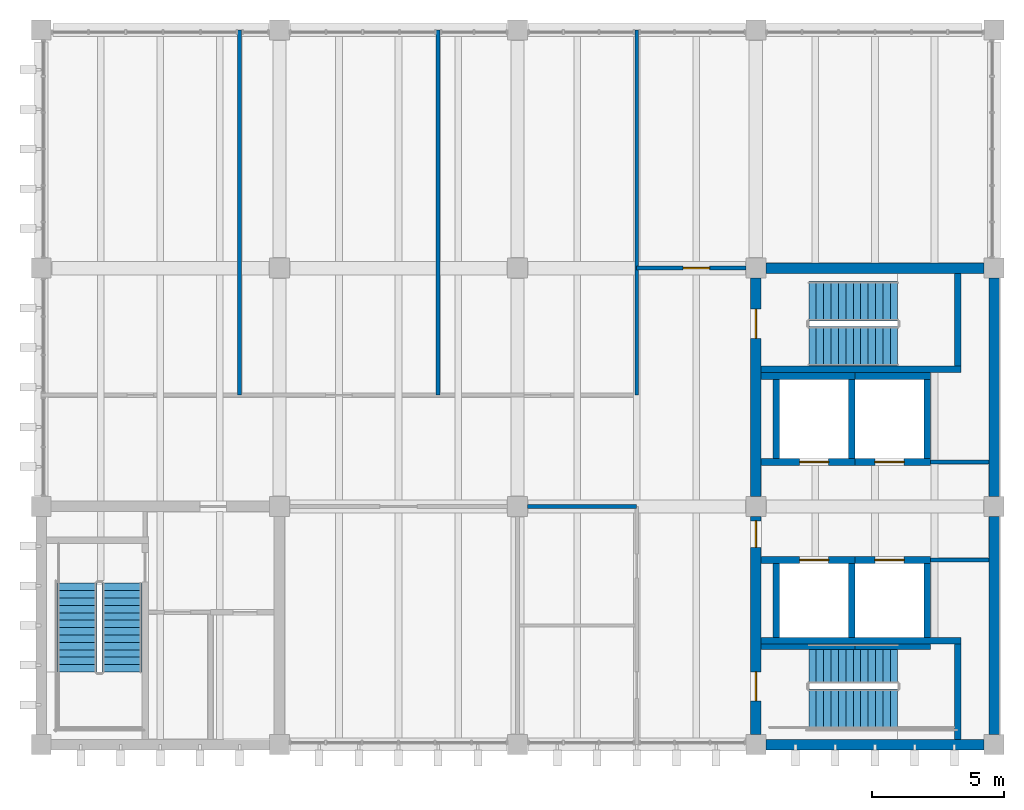
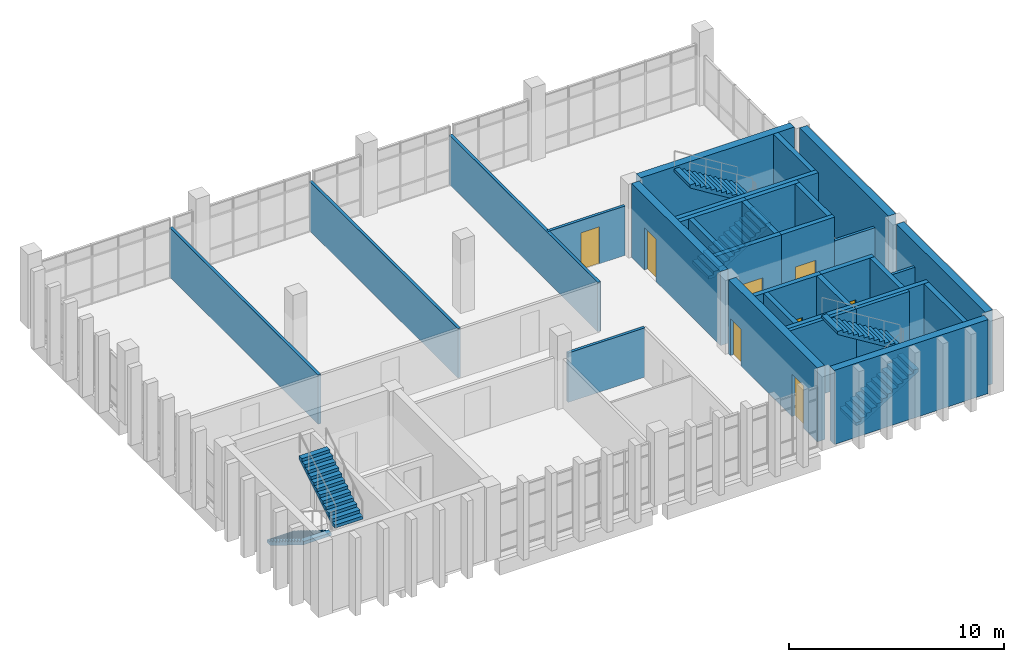
# One storey, part 10 of 14: 31 walls, 8 doors, 6 stair flights, 8 openings, 3 elements without a shape of their own.
"""IFC4 building model written with IfcOpenShell, lengths in metres."""

import ifcopenshell
import ifcopenshell.guid

model = None  # the IFC model being written
_history = None  # IfcOwnerHistory: only IFC2X3 demands one
_inside = {}  # id of a spatial element -> (the spatial element, [elements in it])
_under = {}  # id of a project, library or spatial element -> (it, [spatial elements below it])
_declared = {}  # id of a project -> (the project, [libraries it declares])
_typed = {}  # id of a type object -> (the type object, [elements of that type])
_made_of = {}  # id of a material, layer set ... -> (it, [elements and type objects made of it])


def new_model(schema):
    """Start an empty IFC model of exactly this schema.

    Asked for "IFC4X3", IfcOpenShell would pick the latest addendum, in which some entities
    have other attributes; the version numbers below select the first issue.
    IFC2X3 requires an IfcOwnerHistory on every rooted entity: one is made here for all.
    """
    global model, _history
    if schema == "IFC4X3":
        model = ifcopenshell.file(schema_version=(4, 3, 0, 0))
    else:
        model = ifcopenshell.file(schema=schema)
    _inside.clear()
    _under.clear()
    _declared.clear()
    _typed.clear()
    _made_of.clear()
    _history = None
    if model.schema == "IFC2X3":
        org = make("IfcOrganization", Name="unknown")
        user = make(
            "IfcPersonAndOrganization",
            ThePerson=make("IfcPerson", FamilyName="unknown"),
            TheOrganization=org,
        )
        app = make(
            "IfcApplication",
            ApplicationDeveloper=org,
            Version="unknown",
            ApplicationFullName="unknown",
            ApplicationIdentifier="unknown",
        )
        _history = make(
            "IfcOwnerHistory",
            OwningUser=user,
            OwningApplication=app,
            ChangeAction="ADDED",
            CreationDate=0,
        )
    return model


def make(cls, **values):
    """One entity of the class cls with the attributes given. An attribute that is None is left unset."""
    return model.create_entity(
        cls, **{name: value for name, value in values.items() if value is not None}
    )


def rooted(cls, **values):
    """An entity with a GlobalId (a new one), such as an element, a storey or a relation."""
    return make(cls, GlobalId=ifcopenshell.guid.new(), OwnerHistory=_history, **values)


def si_unit(unit_type, name, prefix=None):
    """IfcSIUnit, for example si_unit("LENGTHUNIT", "METRE", prefix="MILLI")."""
    return make("IfcSIUnit", UnitType=unit_type, Prefix=prefix, Name=name)


def assignment(units):
    """IfcUnitAssignment: the units of a project."""
    return None if units is None else make("IfcUnitAssignment", Units=units)


def point(xyz):
    """IfcCartesianPoint."""
    return None if xyz is None else make("IfcCartesianPoint", Coordinates=xyz)


def direction(xyz):
    """IfcDirection."""
    return None if xyz is None else make("IfcDirection", DirectionRatios=xyz)


def frame(location, z_axis=None, x_axis=None):
    """IfcAxis2Placement3D, a coordinate frame: its origin and axes. An axis left out is left unset."""
    return make(
        "IfcAxis2Placement3D",
        Location=point(location),
        Axis=direction(z_axis),
        RefDirection=direction(x_axis),
    )


def frame_2d(location, x_axis=None):
    """IfcAxis2Placement2D, a coordinate frame in the plane: its origin and x axis."""
    return make(
        "IfcAxis2Placement2D", Location=point(location), RefDirection=direction(x_axis)
    )


def origin():
    """The frame at (0, 0, 0) with its axes left unset."""
    return frame((0.0, 0.0, 0.0))


def place(relative_to, where):
    """IfcLocalPlacement: puts the frame where relative to a parent placement (None: the world)."""
    return make(
        "IfcLocalPlacement", PlacementRelTo=relative_to, RelativePlacement=where
    )


def context(
    kind, dimensions, precision=None, world=None, true_north=None, identifier=None
):
    """IfcGeometricRepresentationContext, for example the 3D "Model" context."""
    return make(
        "IfcGeometricRepresentationContext",
        ContextIdentifier=identifier,
        ContextType=kind,
        CoordinateSpaceDimension=dimensions,
        Precision=precision,
        WorldCoordinateSystem=world,
        TrueNorth=true_north,
    )


def subcontext(parent, identifier, kind, view, scale=None):
    """IfcGeometricRepresentationSubContext, for example "Body" below "Model"."""
    return make(
        "IfcGeometricRepresentationSubContext",
        ContextIdentifier=identifier,
        ContextType=kind,
        ParentContext=parent,
        TargetScale=scale,
        TargetView=view,
    )


def project(units=None, contexts=None):
    """IfcProject with its units and contexts."""
    return rooted(
        "IfcProject",
        Name="project",
        RepresentationContexts=contexts,
        UnitsInContext=assignment(units),
    )


def spatial(cls, under=None, at=None, **own):
    """A site, building, storey or space (cls), placed at a placement, below another one or the project."""
    s = rooted(cls, ObjectPlacement=at, **own)
    if under is not None:
        _under.setdefault(under.id(), (under, []))[1].append(s)
    return s


def polyline(points):
    """IfcPolyline through the points."""
    return make("IfcPolyline", Points=[point(p) for p in points])


def profile(cls, at=None, kind="AREA", **sizes):
    """A parametric profile (cls). Its sizes go by their IFC names, for example OverallWidth=200.0."""
    return make(cls, ProfileType=kind, Position=at, **sizes)


def rectangle(**sizes):
    """IfcRectangleProfileDef."""
    return profile("IfcRectangleProfileDef", **sizes)


def outline(outer, holes=None, kind="AREA"):
    """IfcArbitraryClosedProfileDef: a profile drawn as a closed curve; with holes, ...WithVoids."""
    if holes is None:
        return make("IfcArbitraryClosedProfileDef", ProfileType=kind, OuterCurve=outer)
    return make(
        "IfcArbitraryProfileDefWithVoids",
        ProfileType=kind,
        OuterCurve=outer,
        InnerCurves=holes,
    )


def extrude(swept, where, along, depth):
    """IfcExtrudedAreaSolid: the profile swept, set in the frame where, extruded along a direction by depth."""
    return make(
        "IfcExtrudedAreaSolid",
        SweptArea=swept,
        Position=where,
        ExtrudedDirection=direction(along),
        Depth=depth,
    )


def shape(context_of_items, identifier, shape_type, items):
    """IfcShapeRepresentation: the items that make up one representation, for example the "Body"."""
    return make(
        "IfcShapeRepresentation",
        ContextOfItems=context_of_items,
        RepresentationIdentifier=identifier,
        RepresentationType=shape_type,
        Items=items,
    )


def material(Name=None, Category=None):
    """IfcMaterial."""
    return make("IfcMaterial", Name=Name, Category=Category)


def layer(
    of_material, thickness, ventilated=None, Name=None, Category=None, Priority=None
):
    """IfcMaterialLayer: one layer of a wall or slab, of a material (None: an air gap)."""
    return make(
        "IfcMaterialLayer",
        Material=of_material,
        LayerThickness=thickness,
        IsVentilated=ventilated,
        Name=Name,
        Category=Category,
        Priority=Priority,
    )


def layer_set(layers, Name=None):
    """IfcMaterialLayerSet."""
    return make("IfcMaterialLayerSet", MaterialLayers=layers, LayerSetName=Name)


def made_of(thing, what):
    """Note that an element or type object is made of a material, layer set ...; save() writes the relation."""
    if what is not None:
        _made_of.setdefault(what.id(), (what, []))[1].append(thing)
    return thing


def type_object(cls, material=None, **own):
    """A type object (cls), such as IfcWallType, which elements share."""
    return made_of(rooted(cls, **own), material)


def element(
    cls,
    number,
    at=None,
    inside=None,
    cuts=None,
    type_object=None,
    material=None,
    context=None,
    identifier="Body",
    shape_type=None,
    held_by="IfcProductDefinitionShape",
    body=None,
    shapes=None,
    **own,
):
    """One element of the class cls, such as IfcWall. Its Tag is "e" and its number.

    at: its placement. inside: the storey or other place that contains it. cuts: it is an
    opening in that element (IfcRelVoidsElement). A single representation is given by context,
    identifier, shape_type and body (its items); several are given by shapes. held_by: the class
    of the entity that holds the representations. save() writes the other relations.
    """
    e = rooted(cls, Tag="e%d" % number, ObjectPlacement=at, **own)
    if body is not None:
        shapes = [shape(context, identifier, shape_type, body)]
    if shapes is not None:
        e.Representation = make(held_by, Representations=shapes)
    if inside is not None:
        _inside.setdefault(inside.id(), (inside, []))[1].append(e)
    if cuts is not None:
        rooted(
            "IfcRelVoidsElement", RelatingBuildingElement=cuts, RelatedOpeningElement=e
        )
    if type_object is not None:
        _typed.setdefault(type_object.id(), (type_object, []))[1].append(e)
    return made_of(e, material)


def fill(opening, filler):
    """IfcRelFillsElement: the door or window that sits in an opening."""
    return rooted(
        "IfcRelFillsElement",
        RelatingOpeningElement=opening,
        RelatedBuildingElement=filler,
    )


def aggregate(whole, parts):
    """IfcRelAggregates: a whole, such as a stair, and the parts it consists of."""
    return rooted("IfcRelAggregates", RelatingObject=whole, RelatedObjects=parts)


def save(model, path):
    """Write the relations noted so far, then the file.

    IfcRelAggregates (storeys below a building ...), IfcRelContainedInSpatialStructure (elements
    in a storey), IfcRelDefinesByType, IfcRelAssociatesMaterial and IfcRelDeclares: one each for
    every whole, place, type object, material and project.
    """
    for whole, parts in _under.values():
        aggregate(whole, parts)
    for where, things in _inside.values():
        rooted(
            "IfcRelContainedInSpatialStructure",
            RelatedElements=things,
            RelatingStructure=where,
        )
    for kind, things in _typed.values():
        rooted("IfcRelDefinesByType", RelatedObjects=things, RelatingType=kind)
    for what, things in _made_of.values():
        rooted("IfcRelAssociatesMaterial", RelatedObjects=things, RelatingMaterial=what)
    for by, libraries in _declared.values():
        rooted("IfcRelDeclares", RelatingContext=by, RelatedDefinitions=libraries)
    model.write(path)


model = new_model("IFC4")

# Units and contexts
model_context = context("Model", 3, precision=1e-05, world=origin(), true_north=direction((0.0, 1.0)))
body_context = subcontext(model_context, "Body", "Model", "MODEL_VIEW")
ifc_project = project(units=[si_unit("LENGTHUNIT", "METRE"), si_unit("AREAUNIT", "SQUARE_METRE"), si_unit("VOLUMEUNIT", "CUBIC_METRE"), si_unit("PLANEANGLEUNIT", "RADIAN"), si_unit("MASSUNIT", "GRAM", prefix="KILO")], contexts=[model_context])

# Site, building, storey
site_placement = place(None, origin())
site = spatial("IfcSite", under=ifc_project, at=site_placement, CompositionType="ELEMENT")
building_placement = place(site_placement, origin())
building = spatial("IfcBuilding", under=site, at=building_placement, Name="Merrow Basin Faculty of Sciences", CompositionType="ELEMENT")
storey_placement = place(building_placement, frame((0.0, 0.0, 27.0)))
storey = spatial("IfcBuildingStorey", under=building, at=storey_placement, Name="L06", CompositionType="ELEMENT", Elevation=27.0)

# Walls
ifc_material_1 = material(Name="Fire-rated gypsum board")
ifc_layer_1 = layer(ifc_material_1, 0.14990234375)
ifc_layer_set_1 = layer_set([ifc_layer_1], Name="Corridor partition 150 fire-rated board on steel studs")
wall_type_1 = type_object("IfcWallType", Name="Corridor partition 150 fire-rated board on steel studs", PredefinedType="PARTITIONING", material=ifc_layer_set_1)
wall_1_placement = place(storey_placement, frame((51.60009765625, 148.97509765625, 0.0), z_axis=(0.0, 0.0, 1.0), x_axis=(1.0, 0.0, 0.0)))
element("IfcWall", 1, at=wall_1_placement, inside=storey, type_object=wall_type_1, Name="IW151 L06 006", PredefinedType="PARTITIONING", context=body_context, shape_type="SweptSolid", body=[
    extrude(rectangle(XDim=2.199951171875, YDim=0.14990234375, at=frame_2d((1.10009765625, 0.0))), origin(), (0.0, 0.0, 1.0), 2.800048828125),
])
wall_2_placement = place(storey_placement, frame((36.375, 151.0, 0.0), z_axis=(0.0, 0.0, 1.0), x_axis=(1.0, 0.0, 0.0)))
element("IfcWall", 2, at=wall_2_placement, inside=storey, type_object=wall_type_1, Name="IW151 L06 007", PredefinedType="PARTITIONING", context=body_context, shape_type="SweptSolid", body=[
    extrude(rectangle(XDim=4.125, YDim=0.14990234375, at=frame_2d((2.0625, 0.0))), origin(), (0.0, 0.0, 1.0), 2.800048828125),
])
wall_3_placement = place(storey_placement, frame((51.60009765625, 152.675048828125, 0.0), z_axis=(0.0, 0.0, 1.0), x_axis=(1.0, 0.0, 0.0)))
element("IfcWall", 3, at=wall_3_placement, inside=storey, type_object=wall_type_1, Name="IW151 L06 008", PredefinedType="PARTITIONING", context=body_context, shape_type="SweptSolid", body=[
    extrude(rectangle(XDim=2.199951171875, YDim=0.14990234375, at=frame_2d((1.10009765625, 0.0))), origin(), (0.0, 0.0, 1.0), 2.800048828125),
])

# Wall, opening, door
wall_4_placement = place(storey_placement, frame((40.5, 160.0, 0.0), z_axis=(0.0, 0.0, 1.0), x_axis=(1.0, 0.0, 0.0)))
wall_4 = element("IfcWall", 4, at=wall_4_placement, inside=storey, type_object=wall_type_1, Name="IW151 L06 009", PredefinedType="PARTITIONING", context=body_context, shape_type="SweptSolid", body=[
    extrude(rectangle(XDim=4.125, YDim=0.14990234375, at=frame_2d((2.0625, 0.0))), origin(), (0.0, 0.0, 1.0), 2.800048828125),
])
opening_1_placement = place(wall_4_placement, frame((1.75, 0.0, 0.0)))
opening_1 = element("IfcOpeningElement", 5, at=opening_1_placement, cuts=wall_4, Name="Opening D06T014", PredefinedType="OPENING", context=body_context, shape_type="SweptSolid", body=[
    extrude(rectangle(XDim=1.0, YDim=2.10009765625, at=frame_2d((0.5, 1.050048828125))), frame((0.0, 0.0849609375, 0.0), z_axis=(0.0, -1.0, 0.0), x_axis=(1.0, 0.0, 0.0)), (0.0, 0.0, 1.0), 0.169921875),
])
ifc_material_2 = material(Name="Timber door leaf", Category="wood")
door_type_1 = type_object("IfcDoorType", Name="Single swing door 1000 x 2100", OperationType="NOTDEFINED", PredefinedType="DOOR", material=ifc_material_2)
door_1_placement = place(opening_1_placement, origin())
door_1 = element("IfcDoor", 6, at=door_1_placement, inside=storey, type_object=door_type_1, Name="Door D06T014", OperationType="SINGLE_SWING_LEFT", OverallHeight=2.10009765625, OverallWidth=1.0, PredefinedType="DOOR", context=body_context, shape_type="SweptSolid", body=[
    extrude(rectangle(XDim=1.0, YDim=2.10009765625, at=frame_2d((0.5, 1.050048828125))), frame((0.0, 0.02490234375, 0.0), z_axis=(0.0, -1.0, 0.0), x_axis=(1.0, 0.0, 0.0)), (0.0, 0.0, 1.0), 0.050048828125),
])
fill(opening_1, door_1)

# Walls
ifc_material_3 = material(Name="Fire-rated gypsum board")
ifc_layer_2 = layer(ifc_material_3, 0.14990234375)
ifc_layer_set_2 = layer_set([ifc_layer_2], Name="Laboratory partition 150 fire-rated board on steel studs")
wall_type_2 = type_object("IfcWallType", Name="Laboratory partition 150 fire-rated board on steel studs", PredefinedType="PARTITIONING", material=ifc_layer_set_2)
for number, where, z_axis, x_axis, name in (
    (7, (25.5, 155.199951171875, 0.0), (0.0, 0.0, 1.0), (0.0, 1.0, 0.0), "IW150 L06 010"),
    (8, (33.0, 155.199951171875, 0.0), (0.0, 0.0, 1.0), (0.0, 1.0, 0.0), "IW150 L06 011"),
    (9, (40.5, 155.199951171875, 0.0), (0.0, 0.0, 1.0), (0.0, 1.0, 0.0), "IW150 L06 013"),
):
    element("IfcWall", number, at=place(storey_placement, frame(where, z_axis=z_axis, x_axis=x_axis)), inside=storey, type_object=wall_type_2, Name=name, PredefinedType="PARTITIONING", context=body_context, shape_type="SweptSolid", body=[
        extrude(rectangle(XDim=13.800048828125, YDim=0.14990234375, at=frame_2d((6.89990234375, 0.0))), origin(), (0.0, 0.0, 1.0), 2.800048828125),
    ])
ifc_material_4 = material(Name="Concrete C40/50", Category="concrete")
ifc_layer_3 = layer(ifc_material_4, 0.199951171875)
ifc_layer_set_3 = layer_set([ifc_layer_3], Name="Shear wall 200 Concrete C40/50")
wall_type_3 = type_object("IfcWallType", Name="Shear wall 200 Concrete C40/50", PredefinedType="SHEAR", material=ifc_layer_set_3)
wall_5_placement = place(storey_placement, frame((45.199951171875, 145.699951171875, 0.0), z_axis=(0.0, 0.0, 1.0), x_axis=(1.0, 0.0, 0.0)))
element("IfcWall", 10, at=wall_5_placement, inside=storey, type_object=wall_type_3, Name="SW6 L06 018", PredefinedType="SHEAR", context=body_context, shape_type="SweptSolid", body=[
    extrude(rectangle(XDim=3.550048828125, YDim=0.199951171875, at=frame_2d((1.77490234375, 0.0))), origin(), (0.0, 0.0, 1.0), 4.199951171875),
])
wall_6_placement = place(storey_placement, frame((48.75, 145.699951171875, 0.0), z_axis=(0.0, 0.0, 1.0), x_axis=(1.0, 0.0, 0.0)))
element("IfcWall", 11, at=wall_6_placement, inside=storey, type_object=wall_type_3, Name="SW6 L06 022", PredefinedType="SHEAR", context=body_context, shape_type="SweptSolid", body=[
    extrude(rectangle(XDim=2.85009765625, YDim=0.199951171875, at=frame_2d((1.425048828125, 0.0))), origin(), (0.0, 0.0, 1.0), 4.199951171875),
])
ifc_material_5 = material(Name="Concrete C40/50", Category="concrete")
ifc_layer_4 = layer(ifc_material_5, 0.25)
ifc_layer_set_4 = layer_set([ifc_layer_4], Name="Shear wall 250 Concrete C40/50")
wall_type_4 = type_object("IfcWallType", Name="Shear wall 250 Concrete C40/50", PredefinedType="SHEAR", material=ifc_layer_set_4)
wall_7_placement = place(storey_placement, frame((45.199951171875, 156.175048828125, 0.0), z_axis=(0.0, 0.0, 1.0), x_axis=(1.0, 0.0, 0.0)))
element("IfcWall", 12, at=wall_7_placement, inside=storey, type_object=wall_type_4, Name="SW2 L06 007", PredefinedType="SHEAR", context=body_context, shape_type="SweptSolid", body=[
    extrude(rectangle(XDim=7.550048828125, YDim=0.25, at=frame_2d((3.77490234375, 0.0))), origin(), (0.0, 0.0, 1.0), 4.199951171875),
])
wall_8_placement = place(storey_placement, frame((52.625, 156.300048828125, 0.0), z_axis=(0.0, 0.0, 1.0), x_axis=(0.0, 1.0, 0.0)))
element("IfcWall", 13, at=wall_8_placement, inside=storey, type_object=wall_type_4, Name="SW2 L06 008", PredefinedType="SHEAR", context=body_context, shape_type="SweptSolid", body=[
    extrude(rectangle(XDim=3.5, YDim=0.25, at=frame_2d((1.75, 0.0))), origin(), (0.0, 0.0, 1.0), 4.199951171875),
])
wall_9_placement = place(storey_placement, frame((45.199951171875, 145.925048828125, 0.0), z_axis=(0.0, 0.0, 1.0), x_axis=(1.0, 0.0, 0.0)))
element("IfcWall", 14, at=wall_9_placement, inside=storey, type_object=wall_type_4, Name="SW2 L06 009", PredefinedType="SHEAR", context=body_context, shape_type="SweptSolid", body=[
    extrude(rectangle(XDim=7.550048828125, YDim=0.25, at=frame_2d((3.77490234375, 0.0))), origin(), (0.0, 0.0, 1.0), 4.199951171875),
])
wall_10_placement = place(storey_placement, frame((52.625, 142.199951171875, 0.0), z_axis=(0.0, 0.0, 1.0), x_axis=(0.0, 1.0, 0.0)))
element("IfcWall", 15, at=wall_10_placement, inside=storey, type_object=wall_type_4, Name="SW2 L06 010", PredefinedType="SHEAR", context=body_context, shape_type="SweptSolid", body=[
    extrude(rectangle(XDim=3.60009765625, YDim=0.25, at=frame_2d((1.800048828125, 0.0))), origin(), (0.0, 0.0, 1.0), 4.199951171875),
])

# Wall, opening, door
wall_11_placement = place(storey_placement, frame((45.199951171875, 152.675048828125, 0.0), z_axis=(0.0, 0.0, 1.0), x_axis=(1.0, 0.0, 0.0)))
wall_11 = element("IfcWall", 16, at=wall_11_placement, inside=storey, type_object=wall_type_4, Name="SW2 L06 011", PredefinedType="SHEAR", context=body_context, shape_type="SweptSolid", body=[
    extrude(rectangle(XDim=3.550048828125, YDim=0.25, at=frame_2d((1.77490234375, 0.0))), origin(), (0.0, 0.0, 1.0), 4.199951171875),
])
opening_2_placement = place(wall_11_placement, frame((1.449951171875, 0.0, 0.0)))
opening_2 = element("IfcOpeningElement", 17, at=opening_2_placement, cuts=wall_11, Name="Opening LD06T01", PredefinedType="OPENING", context=body_context, shape_type="SweptSolid", body=[
    extrude(rectangle(XDim=1.10009765625, YDim=2.10009765625, at=frame_2d((0.550048828125, 1.050048828125))), frame((0.0, 0.135009765625, 0.0), z_axis=(0.0, -1.0, 0.0), x_axis=(1.0, 0.0, 0.0)), (0.0, 0.0, 1.0), 0.27001953125),
])
ifc_material_6 = material(Name="Stainless steel sliding door", Category="steel")
door_type_2 = type_object("IfcDoorType", Name="Lift landing door 1100 x 2100 sliding", OperationType="NOTDEFINED", PredefinedType="DOOR", material=ifc_material_6)
door_2_placement = place(opening_2_placement, origin())
door_2 = element("IfcDoor", 18, at=door_2_placement, inside=storey, type_object=door_type_2, Name="Landing door LF11 L06", OperationType="SLIDING_TO_LEFT", OverallHeight=2.10009765625, OverallWidth=1.10009765625, PredefinedType="DOOR", context=body_context, shape_type="SweptSolid", body=[
    extrude(rectangle(XDim=1.10009765625, YDim=2.10009765625, at=frame_2d((0.550048828125, 1.050048828125))), frame((0.0, 0.02490234375, 0.0), z_axis=(0.0, -1.0, 0.0), x_axis=(1.0, 0.0, 0.0)), (0.0, 0.0, 1.0), 0.050048828125),
])
fill(opening_2, door_2)

# Walls
wall_12_placement = place(storey_placement, frame((45.199951171875, 155.925048828125, 0.0), z_axis=(0.0, 0.0, 1.0), x_axis=(1.0, 0.0, 0.0)))
element("IfcWall", 19, at=wall_12_placement, inside=storey, type_object=wall_type_4, Name="SW2 L06 012", PredefinedType="SHEAR", context=body_context, shape_type="SweptSolid", body=[
    extrude(rectangle(XDim=3.550048828125, YDim=0.25, at=frame_2d((1.77490234375, 0.0))), origin(), (0.0, 0.0, 1.0), 4.199951171875),
])
for number, where, z_axis, x_axis, name in (
    (20, (45.77490234375, 152.800048828125, 0.0), (0.0, 0.0, 1.0), (0.0, 1.0, 0.0), "SW2 L06 013"),
    (21, (48.625, 152.800048828125, 0.0), (0.0, 0.0, 1.0), (0.0, 1.0, 0.0), "SW2 L06 014"),
):
    element("IfcWall", number, at=place(storey_placement, frame(where, z_axis=z_axis, x_axis=x_axis)), inside=storey, type_object=wall_type_4, Name=name, PredefinedType="SHEAR", context=body_context, shape_type="SweptSolid", body=[
        extrude(rectangle(XDim=3.0, YDim=0.25, at=frame_2d((1.5, 0.0))), origin(), (0.0, 0.0, 1.0), 4.199951171875),
    ])

# Wall, opening, door
wall_13_placement = place(storey_placement, frame((48.75, 152.675048828125, 0.0), z_axis=(0.0, 0.0, 1.0), x_axis=(1.0, 0.0, 0.0)))
wall_13 = element("IfcWall", 22, at=wall_13_placement, inside=storey, type_object=wall_type_4, Name="SW2 L06 015", PredefinedType="SHEAR", context=body_context, shape_type="SweptSolid", body=[
    extrude(rectangle(XDim=2.85009765625, YDim=0.25, at=frame_2d((1.425048828125, 0.0))), origin(), (0.0, 0.0, 1.0), 4.199951171875),
])
opening_3_placement = place(wall_13_placement, frame((0.75, 0.0, 0.0)))
opening_3 = element("IfcOpeningElement", 23, at=opening_3_placement, cuts=wall_13, Name="Opening LD06T02", PredefinedType="OPENING", context=body_context, shape_type="SweptSolid", body=[
    extrude(rectangle(XDim=1.10009765625, YDim=2.10009765625, at=frame_2d((0.550048828125, 1.050048828125))), frame((0.0, 0.135009765625, 0.0), z_axis=(0.0, -1.0, 0.0), x_axis=(1.0, 0.0, 0.0)), (0.0, 0.0, 1.0), 0.27001953125),
])
door_3_placement = place(opening_3_placement, origin())
door_3 = element("IfcDoor", 24, at=door_3_placement, inside=storey, type_object=door_type_2, Name="Landing door LF12 L06", OperationType="SLIDING_TO_LEFT", OverallHeight=2.10009765625, OverallWidth=1.10009765625, PredefinedType="DOOR", context=body_context, shape_type="SweptSolid", body=[
    extrude(rectangle(XDim=1.10009765625, YDim=2.10009765625, at=frame_2d((0.550048828125, 1.050048828125))), frame((0.0, 0.02490234375, 0.0), z_axis=(0.0, -1.0, 0.0), x_axis=(1.0, 0.0, 0.0)), (0.0, 0.0, 1.0), 0.050048828125),
])
fill(opening_3, door_3)

# Walls
wall_14_placement = place(storey_placement, frame((48.75, 155.925048828125, 0.0), z_axis=(0.0, 0.0, 1.0), x_axis=(1.0, 0.0, 0.0)))
element("IfcWall", 25, at=wall_14_placement, inside=storey, type_object=wall_type_4, Name="SW2 L06 016", PredefinedType="SHEAR", context=body_context, shape_type="SweptSolid", body=[
    extrude(rectangle(XDim=2.85009765625, YDim=0.25, at=frame_2d((1.425048828125, 0.0))), origin(), (0.0, 0.0, 1.0), 4.199951171875),
])
wall_15_placement = place(storey_placement, frame((51.47509765625, 152.800048828125, 0.0), z_axis=(0.0, 0.0, 1.0), x_axis=(0.0, 1.0, 0.0)))
element("IfcWall", 26, at=wall_15_placement, inside=storey, type_object=wall_type_4, Name="SW2 L06 017", PredefinedType="SHEAR", context=body_context, shape_type="SweptSolid", body=[
    extrude(rectangle(XDim=3.0, YDim=0.25, at=frame_2d((1.5, 0.0))), origin(), (0.0, 0.0, 1.0), 4.199951171875),
])

# Wall, opening, door
wall_16_placement = place(storey_placement, frame((45.199951171875, 148.97509765625, 0.0), z_axis=(0.0, 0.0, 1.0), x_axis=(1.0, 0.0, 0.0)))
wall_16 = element("IfcWall", 27, at=wall_16_placement, inside=storey, type_object=wall_type_4, Name="SW2 L06 019", PredefinedType="SHEAR", context=body_context, shape_type="SweptSolid", body=[
    extrude(rectangle(XDim=3.550048828125, YDim=0.25, at=frame_2d((1.77490234375, 0.0))), origin(), (0.0, 0.0, 1.0), 4.199951171875),
])
opening_4_placement = place(wall_16_placement, frame((1.449951171875, 0.0, 0.0)))
opening_4 = element("IfcOpeningElement", 28, at=opening_4_placement, cuts=wall_16, Name="Opening LD06T03", PredefinedType="OPENING", context=body_context, shape_type="SweptSolid", body=[
    extrude(rectangle(XDim=1.10009765625, YDim=2.10009765625, at=frame_2d((0.550048828125, 1.050048828125))), frame((0.0, 0.135009765625, 0.0), z_axis=(0.0, -1.0, 0.0), x_axis=(1.0, 0.0, 0.0)), (0.0, 0.0, 1.0), 0.27001953125),
])
door_4_placement = place(opening_4_placement, origin())
door_4 = element("IfcDoor", 29, at=door_4_placement, inside=storey, type_object=door_type_2, Name="Landing door LF13 L06", OperationType="SLIDING_TO_LEFT", OverallHeight=2.10009765625, OverallWidth=1.10009765625, PredefinedType="DOOR", context=body_context, shape_type="SweptSolid", body=[
    extrude(rectangle(XDim=1.10009765625, YDim=2.10009765625, at=frame_2d((0.550048828125, 1.050048828125))), frame((0.0, 0.02490234375, 0.0), z_axis=(0.0, -1.0, 0.0), x_axis=(1.0, 0.0, 0.0)), (0.0, 0.0, 1.0), 0.050048828125),
])
fill(opening_4, door_4)

# Walls
for number, where, z_axis, x_axis, name in (
    (30, (45.77490234375, 146.050048828125, 0.0), (0.0, 0.0, 1.0), (0.0, 1.0, 0.0), "SW2 L06 020"),
    (31, (48.625, 146.050048828125, 0.0), (0.0, 0.0, 1.0), (0.0, 1.0, 0.0), "SW2 L06 021"),
):
    element("IfcWall", number, at=place(storey_placement, frame(where, z_axis=z_axis, x_axis=x_axis)), inside=storey, type_object=wall_type_4, Name=name, PredefinedType="SHEAR", context=body_context, shape_type="SweptSolid", body=[
        extrude(rectangle(XDim=2.800048828125, YDim=0.25, at=frame_2d((1.39990234375, 0.0))), origin(), (0.0, 0.0, 1.0), 4.199951171875),
    ])

# Wall, opening, door
wall_17_placement = place(storey_placement, frame((48.75, 148.97509765625, 0.0), z_axis=(0.0, 0.0, 1.0), x_axis=(1.0, 0.0, 0.0)))
wall_17 = element("IfcWall", 32, at=wall_17_placement, inside=storey, type_object=wall_type_4, Name="SW2 L06 023", PredefinedType="SHEAR", context=body_context, shape_type="SweptSolid", body=[
    extrude(rectangle(XDim=2.85009765625, YDim=0.25, at=frame_2d((1.425048828125, 0.0))), origin(), (0.0, 0.0, 1.0), 4.199951171875),
])
opening_5_placement = place(wall_17_placement, frame((0.75, 0.0, 0.0)))
opening_5 = element("IfcOpeningElement", 33, at=opening_5_placement, cuts=wall_17, Name="Opening LD06T04", PredefinedType="OPENING", context=body_context, shape_type="SweptSolid", body=[
    extrude(rectangle(XDim=1.10009765625, YDim=2.10009765625, at=frame_2d((0.550048828125, 1.050048828125))), frame((0.0, 0.135009765625, 0.0), z_axis=(0.0, -1.0, 0.0), x_axis=(1.0, 0.0, 0.0)), (0.0, 0.0, 1.0), 0.27001953125),
])
door_5_placement = place(opening_5_placement, origin())
door_5 = element("IfcDoor", 34, at=door_5_placement, inside=storey, type_object=door_type_2, Name="Landing door LF14 L06", OperationType="SLIDING_TO_LEFT", OverallHeight=2.10009765625, OverallWidth=1.10009765625, PredefinedType="DOOR", context=body_context, shape_type="SweptSolid", body=[
    extrude(rectangle(XDim=1.10009765625, YDim=2.10009765625, at=frame_2d((0.550048828125, 1.050048828125))), frame((0.0, 0.02490234375, 0.0), z_axis=(0.0, -1.0, 0.0), x_axis=(1.0, 0.0, 0.0)), (0.0, 0.0, 1.0), 0.050048828125),
])
fill(opening_5, door_5)

# Walls
wall_18_placement = place(storey_placement, frame((51.47509765625, 146.050048828125, 0.0), z_axis=(0.0, 0.0, 1.0), x_axis=(0.0, 1.0, 0.0)))
element("IfcWall", 35, at=wall_18_placement, inside=storey, type_object=wall_type_4, Name="SW2 L06 024", PredefinedType="SHEAR", context=body_context, shape_type="SweptSolid", body=[
    extrude(rectangle(XDim=2.800048828125, YDim=0.25, at=frame_2d((1.39990234375, 0.0))), origin(), (0.0, 0.0, 1.0), 4.199951171875),
])
ifc_material_7 = material(Name="Concrete C40/50", Category="concrete")
ifc_layer_5 = layer(ifc_material_7, 0.39990234375)
ifc_layer_set_5 = layer_set([ifc_layer_5], Name="Shear wall 400 Concrete C40/50")
wall_type_5 = type_object("IfcWallType", Name="Shear wall 400 Concrete C40/50", PredefinedType="SHEAR", material=ifc_layer_set_5)
for number, where, z_axis, x_axis, name in (
    (36, (45.375, 142.0, 0.0), (0.0, 0.0, 1.0), (1.0, 0.0, 0.0), "SW1 L06 001"),
    (37, (45.375, 160.0, 0.0), (0.0, 0.0, 1.0), (1.0, 0.0, 0.0), "SW1 L06 002"),
):
    element("IfcWall", number, at=place(storey_placement, frame(where, z_axis=z_axis, x_axis=x_axis)), inside=storey, type_object=wall_type_5, Name=name, PredefinedType="SHEAR", context=body_context, shape_type="SweptSolid", body=[
        extrude(rectangle(XDim=8.25, YDim=0.39990234375, at=frame_2d((4.125, 0.0))), origin(), (0.0, 0.0, 1.0), 4.199951171875),
    ])

# Wall, openings, doors
wall_19_placement = place(storey_placement, frame((45.0, 142.375, 0.0), z_axis=(0.0, 0.0, 1.0), x_axis=(0.0, 1.0, 0.0)))
wall_19 = element("IfcWall", 38, at=wall_19_placement, inside=storey, type_object=wall_type_5, Name="SW1 L06 003", PredefinedType="SHEAR", context=body_context, shape_type="SweptSolid", body=[
    extrude(rectangle(XDim=8.25, YDim=0.39990234375, at=frame_2d((4.125, 0.0))), origin(), (0.0, 0.0, 1.0), 4.199951171875),
])
opening_6_placement = place(wall_19_placement, frame((1.27490234375, 0.0, 0.0)))
opening_6 = element("IfcOpeningElement", 39, at=opening_6_placement, cuts=wall_19, Name="Opening D06T001", PredefinedType="OPENING", context=body_context, shape_type="SweptSolid", body=[
    extrude(rectangle(XDim=1.10009765625, YDim=2.39990234375, at=frame_2d((0.550048828125, 1.199951171875))), frame((0.0, 0.2099609375, 0.0), z_axis=(0.0, -1.0, 0.0), x_axis=(1.0, 0.0, 0.0)), (0.0, 0.0, 1.0), 0.419921875),
])
opening_7_placement = place(wall_19_placement, frame((7.074951171875, 0.0, 0.0)))
opening_7 = element("IfcOpeningElement", 40, at=opening_7_placement, cuts=wall_19, Name="Opening D06T003", PredefinedType="OPENING", context=body_context, shape_type="SweptSolid", body=[
    extrude(rectangle(XDim=1.0, YDim=2.10009765625, at=frame_2d((0.5, 1.050048828125))), frame((0.0, 0.2099609375, 0.0), z_axis=(0.0, -1.0, 0.0), x_axis=(1.0, 0.0, 0.0)), (0.0, 0.0, 1.0), 0.419921875),
])
ifc_material_8 = material(Name="Fire-rated steel door", Category="steel")
door_type_3 = type_object("IfcDoorType", Name="Fire door FD90 1100 x 2400", OperationType="NOTDEFINED", PredefinedType="DOOR", material=ifc_material_8)
door_6_placement = place(opening_6_placement, origin())
door_6 = element("IfcDoor", 41, at=door_6_placement, inside=storey, type_object=door_type_3, Name="Door D06T001", OperationType="SINGLE_SWING_LEFT", OverallHeight=2.39990234375, OverallWidth=1.10009765625, PredefinedType="DOOR", context=body_context, shape_type="SweptSolid", body=[
    extrude(rectangle(XDim=1.10009765625, YDim=2.39990234375, at=frame_2d((0.550048828125, 1.199951171875))), frame((0.0, 0.02490234375, 0.0), z_axis=(0.0, -1.0, 0.0), x_axis=(1.0, 0.0, 0.0)), (0.0, 0.0, 1.0), 0.050048828125),
])
fill(opening_6, door_6)
door_7_placement = place(opening_7_placement, origin())
door_7 = element("IfcDoor", 42, at=door_7_placement, inside=storey, type_object=door_type_1, Name="Door D06T003", OperationType="SINGLE_SWING_LEFT", OverallHeight=2.10009765625, OverallWidth=1.0, PredefinedType="DOOR", context=body_context, shape_type="SweptSolid", body=[
    extrude(rectangle(XDim=1.0, YDim=2.10009765625, at=frame_2d((0.5, 1.050048828125))), frame((0.0, 0.02490234375, 0.0), z_axis=(0.0, -1.0, 0.0), x_axis=(1.0, 0.0, 0.0)), (0.0, 0.0, 1.0), 0.050048828125),
])
fill(opening_7, door_7)

# Wall, opening, door
wall_20_placement = place(storey_placement, frame((45.0, 151.375, 0.0), z_axis=(0.0, 0.0, 1.0), x_axis=(0.0, 1.0, 0.0)))
wall_20 = element("IfcWall", 43, at=wall_20_placement, inside=storey, type_object=wall_type_5, Name="SW1 L06 004", PredefinedType="SHEAR", context=body_context, shape_type="SweptSolid", body=[
    extrude(rectangle(XDim=8.25, YDim=0.39990234375, at=frame_2d((4.125, 0.0))), origin(), (0.0, 0.0, 1.0), 4.199951171875),
])
opening_8_placement = place(wall_20_placement, frame((5.97509765625, 0.0, 0.0)))
opening_8 = element("IfcOpeningElement", 44, at=opening_8_placement, cuts=wall_20, Name="Opening D06T002", PredefinedType="OPENING", context=body_context, shape_type="SweptSolid", body=[
    extrude(rectangle(XDim=1.10009765625, YDim=2.39990234375, at=frame_2d((0.550048828125, 1.199951171875))), frame((0.0, 0.2099609375, 0.0), z_axis=(0.0, -1.0, 0.0), x_axis=(1.0, 0.0, 0.0)), (0.0, 0.0, 1.0), 0.419921875),
])
door_8_placement = place(opening_8_placement, origin())
door_8 = element("IfcDoor", 45, at=door_8_placement, inside=storey, type_object=door_type_3, Name="Door D06T002", OperationType="SINGLE_SWING_RIGHT", OverallHeight=2.39990234375, OverallWidth=1.10009765625, PredefinedType="DOOR", context=body_context, shape_type="SweptSolid", body=[
    extrude(rectangle(XDim=1.10009765625, YDim=2.39990234375, at=frame_2d((0.550048828125, 1.199951171875))), frame((0.0, 0.02490234375, 0.0), z_axis=(0.0, -1.0, 0.0), x_axis=(1.0, 0.0, 0.0)), (0.0, 0.0, 1.0), 0.050048828125),
])
fill(opening_8, door_8)

# Walls
for number, where, z_axis, x_axis, name in (
    (46, (54.0, 142.375, 0.0), (0.0, 0.0, 1.0), (0.0, 1.0, 0.0), "SW1 L06 005"),
    (47, (54.0, 151.375, 0.0), (0.0, 0.0, 1.0), (0.0, 1.0, 0.0), "SW1 L06 006"),
):
    element("IfcWall", number, at=place(storey_placement, frame(where, z_axis=z_axis, x_axis=x_axis)), inside=storey, type_object=wall_type_5, Name=name, PredefinedType="SHEAR", context=body_context, shape_type="SweptSolid", body=[
        extrude(rectangle(XDim=8.25, YDim=0.39990234375, at=frame_2d((4.125, 0.0))), origin(), (0.0, 0.0, 1.0), 4.199951171875),
    ])

# Stair, stair flights
ifc_material_9 = material(Name="Concrete C40/50", Category="concrete")
stair_type = type_object("IfcStairType", Name="Concrete dog-leg stair Concrete C40/50", PredefinedType="HALF_TURN_STAIR", material=ifc_material_9)
stair_1_placement = place(storey_placement, origin())
stair_1 = element("IfcStair", 48, at=stair_1_placement, inside=storey, type_object=stair_type, Name="L06 Exit stair S", PredefinedType="HALF_TURN_STAIR")
ifc_material_10 = material(Name="Concrete C40/50", Category="concrete")
stair_flight_type = type_object("IfcStairFlightType", Name="Concrete stair flight Concrete C40/50", PredefinedType="STRAIGHT", material=ifc_material_10)
stair_flight_1_placement = place(storey_placement, frame((47.0, 157.050048828125, 0.0), z_axis=(0.0, 0.0, 1.0), x_axis=(1.0, 0.0, 0.0)))
stair_flight_1 = element("IfcStairFlight", 49, at=stair_flight_1_placement, type_object=stair_flight_type, Name="ST-V5-S flight 1", NumberOfRisers=13, NumberOfTreads=12, PredefinedType="STRAIGHT", RiserHeight=0.173076923, TreadLength=0.28, context=body_context, shape_type="SweptSolid", body=[
    extrude(outline(polyline([(0.0, 0.0), (0.0, 0.173095703125), (0.280029296875, 0.173095703125), (0.280029296875, 0.34619140625), (0.56005859375, 0.34619140625), (0.56005859375, 0.519287109375), (0.840087890625, 0.519287109375), (0.840087890625, 0.6923828125), (1.1201171875, 0.6923828125), (1.1201171875, 0.865478515625), (1.39990234375, 0.865478515625), (1.39990234375, 1.03857421875), (1.679931640625, 1.03857421875), (1.679931640625, 1.21142578125), (1.9599609375, 1.21142578125), (1.9599609375, 1.384521484375), (2.239990234375, 1.384521484375), (2.239990234375, 1.5576171875), (2.52001953125, 1.5576171875), (2.52001953125, 1.730712890625), (2.800048828125, 1.730712890625), (2.800048828125, 1.90380859375), (3.080078125, 1.90380859375), (3.080078125, 2.076904296875), (3.360107421875, 2.076904296875), (3.360107421875, 2.25), (3.360107421875, 1.900634765625), (0.28515625, 0.0), (0.0, 0.0)])), frame((0.0, 0.75, 0.0), z_axis=(0.0, -1.0, 0.0), x_axis=(1.0, 0.0, 0.0)), (0.0, 0.0, 1.0), 1.5),
])
stair_flight_2_placement = place(storey_placement, frame((50.360107421875, 158.75, 2.25), z_axis=(0.0, 0.0, 1.0), x_axis=(-1.0, 0.0, 0.0)))
stair_flight_2 = element("IfcStairFlight", 50, at=stair_flight_2_placement, type_object=stair_flight_type, Name="ST-V5-S flight 2", NumberOfRisers=13, NumberOfTreads=12, PredefinedType="STRAIGHT", RiserHeight=0.173076923, TreadLength=0.28, context=body_context, shape_type="SweptSolid", body=[
    extrude(outline(polyline([(0.0, 0.0), (0.0, 0.173095703125), (0.280029296875, 0.173095703125), (0.280029296875, 0.34619140625), (0.56005859375, 0.34619140625), (0.56005859375, 0.519287109375), (0.840087890625, 0.519287109375), (0.840087890625, 0.6923828125), (1.1201171875, 0.6923828125), (1.1201171875, 0.865478515625), (1.39990234375, 0.865478515625), (1.39990234375, 1.03857421875), (1.679931640625, 1.03857421875), (1.679931640625, 1.21142578125), (1.9599609375, 1.21142578125), (1.9599609375, 1.384521484375), (2.239990234375, 1.384521484375), (2.239990234375, 1.5576171875), (2.52001953125, 1.5576171875), (2.52001953125, 1.730712890625), (2.800048828125, 1.730712890625), (2.800048828125, 1.90380859375), (3.080078125, 1.90380859375), (3.080078125, 2.076904296875), (3.360107421875, 2.076904296875), (3.360107421875, 2.25), (3.360107421875, 1.900634765625), (0.28515625, 0.0), (0.0, 0.0)])), frame((0.0, 0.75, 0.0), z_axis=(0.0, -1.0, 0.0), x_axis=(1.0, 0.0, 0.0)), (0.0, 0.0, 1.0), 1.5),
])
aggregate(stair_1, [stair_flight_1, stair_flight_2])

stair_2_placement = place(storey_placement, origin())
stair_2 = element("IfcStair", 51, at=stair_2_placement, inside=storey, type_object=stair_type, Name="L06 Exit stair N", PredefinedType="HALF_TURN_STAIR")
stair_flight_3_placement = place(storey_placement, frame((47.0, 143.35009765625, 0.0), z_axis=(0.0, 0.0, 1.0), x_axis=(1.0, 0.0, 0.0)))
stair_flight_3 = element("IfcStairFlight", 52, at=stair_flight_3_placement, type_object=stair_flight_type, Name="ST-V5-N flight 1", NumberOfRisers=13, NumberOfTreads=12, PredefinedType="STRAIGHT", RiserHeight=0.173076923, TreadLength=0.28, context=body_context, shape_type="SweptSolid", body=[
    extrude(outline(polyline([(0.0, 0.0), (0.0, 0.173095703125), (0.280029296875, 0.173095703125), (0.280029296875, 0.34619140625), (0.56005859375, 0.34619140625), (0.56005859375, 0.519287109375), (0.840087890625, 0.519287109375), (0.840087890625, 0.6923828125), (1.1201171875, 0.6923828125), (1.1201171875, 0.865478515625), (1.39990234375, 0.865478515625), (1.39990234375, 1.03857421875), (1.679931640625, 1.03857421875), (1.679931640625, 1.21142578125), (1.9599609375, 1.21142578125), (1.9599609375, 1.384521484375), (2.239990234375, 1.384521484375), (2.239990234375, 1.5576171875), (2.52001953125, 1.5576171875), (2.52001953125, 1.730712890625), (2.800048828125, 1.730712890625), (2.800048828125, 1.90380859375), (3.080078125, 1.90380859375), (3.080078125, 2.076904296875), (3.360107421875, 2.076904296875), (3.360107421875, 2.25), (3.360107421875, 1.900634765625), (0.28515625, 0.0), (0.0, 0.0)])), frame((0.0, 0.75, 0.0), z_axis=(0.0, -1.0, 0.0), x_axis=(1.0, 0.0, 0.0)), (0.0, 0.0, 1.0), 1.5),
])
stair_flight_4_placement = place(storey_placement, frame((50.360107421875, 145.050048828125, 2.25), z_axis=(0.0, 0.0, 1.0), x_axis=(-1.0, 0.0, 0.0)))
stair_flight_4 = element("IfcStairFlight", 53, at=stair_flight_4_placement, type_object=stair_flight_type, Name="ST-V5-N flight 2", NumberOfRisers=13, NumberOfTreads=12, PredefinedType="STRAIGHT", RiserHeight=0.173076923, TreadLength=0.28, context=body_context, shape_type="SweptSolid", body=[
    extrude(outline(polyline([(0.0, 0.0), (0.0, 0.173095703125), (0.280029296875, 0.173095703125), (0.280029296875, 0.34619140625), (0.56005859375, 0.34619140625), (0.56005859375, 0.519287109375), (0.840087890625, 0.519287109375), (0.840087890625, 0.6923828125), (1.1201171875, 0.6923828125), (1.1201171875, 0.865478515625), (1.39990234375, 0.865478515625), (1.39990234375, 1.03857421875), (1.679931640625, 1.03857421875), (1.679931640625, 1.21142578125), (1.9599609375, 1.21142578125), (1.9599609375, 1.384521484375), (2.239990234375, 1.384521484375), (2.239990234375, 1.5576171875), (2.52001953125, 1.5576171875), (2.52001953125, 1.730712890625), (2.800048828125, 1.730712890625), (2.800048828125, 1.90380859375), (3.080078125, 1.90380859375), (3.080078125, 2.076904296875), (3.360107421875, 2.076904296875), (3.360107421875, 2.25), (3.360107421875, 1.900634765625), (0.28515625, 0.0), (0.0, 0.0)])), frame((0.0, 0.75, 0.0), z_axis=(0.0, -1.0, 0.0), x_axis=(1.0, 0.0, 0.0)), (0.0, 0.0, 1.0), 1.5),
])
aggregate(stair_2, [stair_flight_3, stair_flight_4])

stair_3_placement = place(storey_placement, origin())
stair_3 = element("IfcStair", 54, at=stair_3_placement, inside=storey, type_object=stair_type, Name="L06 Exit stair W", PredefinedType="HALF_TURN_STAIR")
stair_flight_5_placement = place(storey_placement, frame((19.35009765625, 148.10009765625, 0.0), z_axis=(0.0, 0.0, 1.0), x_axis=(0.0, -1.0, 0.0)))
stair_flight_5 = element("IfcStairFlight", 55, at=stair_flight_5_placement, type_object=stair_flight_type, Name="ST-V5-W flight 1", NumberOfRisers=13, NumberOfTreads=12, PredefinedType="STRAIGHT", RiserHeight=0.173076923, TreadLength=0.28, context=body_context, shape_type="SweptSolid", body=[
    extrude(outline(polyline([(0.0, 0.0), (0.0, 0.173095703125), (0.280029296875, 0.173095703125), (0.280029296875, 0.34619140625), (0.56005859375, 0.34619140625), (0.56005859375, 0.519287109375), (0.840087890625, 0.519287109375), (0.840087890625, 0.6923828125), (1.1201171875, 0.6923828125), (1.1201171875, 0.865478515625), (1.39990234375, 0.865478515625), (1.39990234375, 1.03857421875), (1.679931640625, 1.03857421875), (1.679931640625, 1.21142578125), (1.9599609375, 1.21142578125), (1.9599609375, 1.384521484375), (2.239990234375, 1.384521484375), (2.239990234375, 1.5576171875), (2.52001953125, 1.5576171875), (2.52001953125, 1.730712890625), (2.800048828125, 1.730712890625), (2.800048828125, 1.90380859375), (3.080078125, 1.90380859375), (3.080078125, 2.076904296875), (3.360107421875, 2.076904296875), (3.360107421875, 2.25), (3.360107421875, 1.900634765625), (0.28515625, 0.0), (0.0, 0.0)])), frame((0.0, 0.75, 0.0), z_axis=(0.0, -1.0, 0.0), x_axis=(1.0, 0.0, 0.0)), (0.0, 0.0, 1.0), 1.5),
])
stair_flight_6_placement = place(storey_placement, frame((21.050048828125, 144.739990234375, 2.25), z_axis=(0.0, 0.0, 1.0), x_axis=(0.0, 1.0, 0.0)))
stair_flight_6 = element("IfcStairFlight", 56, at=stair_flight_6_placement, type_object=stair_flight_type, Name="ST-V5-W flight 2", NumberOfRisers=13, NumberOfTreads=12, PredefinedType="STRAIGHT", RiserHeight=0.173076923, TreadLength=0.28, context=body_context, shape_type="SweptSolid", body=[
    extrude(outline(polyline([(0.0, 0.0), (0.0, 0.173095703125), (0.280029296875, 0.173095703125), (0.280029296875, 0.34619140625), (0.56005859375, 0.34619140625), (0.56005859375, 0.519287109375), (0.840087890625, 0.519287109375), (0.840087890625, 0.6923828125), (1.1201171875, 0.6923828125), (1.1201171875, 0.865478515625), (1.39990234375, 0.865478515625), (1.39990234375, 1.03857421875), (1.679931640625, 1.03857421875), (1.679931640625, 1.21142578125), (1.9599609375, 1.21142578125), (1.9599609375, 1.384521484375), (2.239990234375, 1.384521484375), (2.239990234375, 1.5576171875), (2.52001953125, 1.5576171875), (2.52001953125, 1.730712890625), (2.800048828125, 1.730712890625), (2.800048828125, 1.90380859375), (3.080078125, 1.90380859375), (3.080078125, 2.076904296875), (3.360107421875, 2.076904296875), (3.360107421875, 2.25), (3.360107421875, 1.900634765625), (0.28515625, 0.0), (0.0, 0.0)])), frame((0.0, 0.75, 0.0), z_axis=(0.0, -1.0, 0.0), x_axis=(1.0, 0.0, 0.0)), (0.0, 0.0, 1.0), 1.5),
])
aggregate(stair_3, [stair_flight_5, stair_flight_6])

save(model, "model.ifc")
